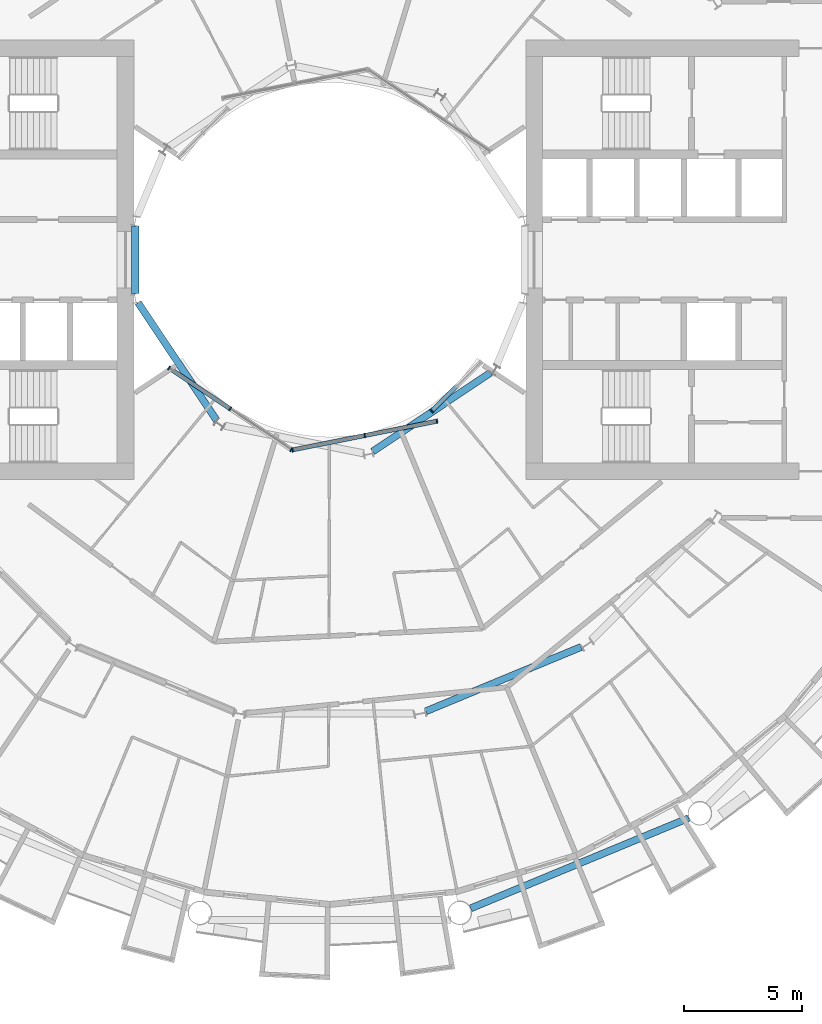
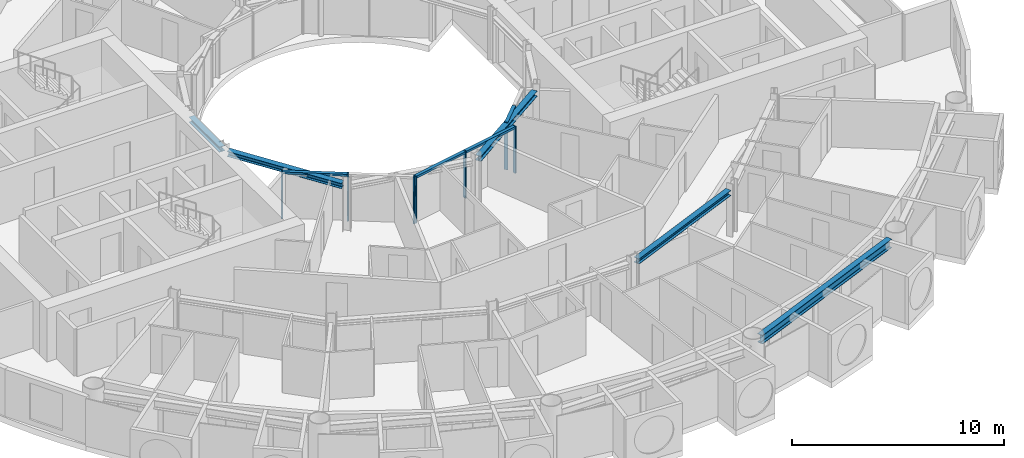
# One storey, part 5 of 26: 11 members, 5 beams, 3 elements without a shape of their own.
"""IFC4 building model written with IfcOpenShell, lengths in metres."""

from ifc_helpers import new_model, si_unit, direction, frame, origin, origin_2d, place, context, subcontext, project, spatial, rectangle, i_section, extrude, material, layer, layer_set, material_profile, profile_set, type_object, element, aggregate, save


model = new_model("IFC4")

# Units and contexts
model_context = context("Model", 3, precision=1e-05, world=origin(), true_north=direction((0.0, 1.0)))
body_context = subcontext(model_context, "Body", "Model", "MODEL_VIEW")
ifc_project = project(units=[si_unit("LENGTHUNIT", "METRE"), si_unit("AREAUNIT", "SQUARE_METRE"), si_unit("VOLUMEUNIT", "CUBIC_METRE"), si_unit("PLANEANGLEUNIT", "RADIAN"), si_unit("MASSUNIT", "GRAM", prefix="KILO")], contexts=[model_context])

# Site, building, storey
site_placement = place(None, origin())
site = spatial("IfcSite", under=ifc_project, at=site_placement, CompositionType="ELEMENT")
building_placement = place(site_placement, origin())
building = spatial("IfcBuilding", under=site, at=building_placement, Name="Maasbend Ring Residences", CompositionType="ELEMENT")
storey_placement = place(building_placement, frame((0.0, 0.0, 66.64990234375)))
storey = spatial("IfcBuildingStorey", under=building, at=storey_placement, Name="L18", CompositionType="ELEMENT", Elevation=66.64990234375)

# Curtain wall, members
ifc_material_1 = material(Name="Aluminium and clear glass", Category="aluminium")
ifc_layer = layer(ifc_material_1, 0.179931640625)
ifc_layer_set = layer_set([ifc_layer], Name="CW-W")
curtain_wall_type = type_object("IfcCurtainWallType", Name="CW-W", PredefinedType="NOTDEFINED", material=ifc_layer_set)
curtain_wall_1_placement = place(storey_placement, origin())
curtain_wall_1 = element("IfcCurtainWall", 1, at=curtain_wall_1_placement, inside=storey, type_object=curtain_wall_type, Name="Well curtain wall S1", PredefinedType="NOTDEFINED")
ifc_material_2 = material(Name="Aluminium 6063-T6", Category="aluminium")
ifc_material_profile_1 = material_profile(ifc_material_2, rectangle(XDim=0.179931640625, YDim=0.06005859375, at=origin_2d()), Name="AL 180x60")
ifc_profile_set_1 = profile_set([ifc_material_profile_1], Name="Aluminium 6063-T6")
member_type_1 = type_object("IfcMemberType", Name="CWM-W", PredefinedType="MULLION", material=ifc_profile_set_1)
member_1_placement = place(storey_placement, frame((-6.805908203125, -4.580810546875, 0.0), z_axis=(0.0, 0.0, 1.0), x_axis=(0.55557023302, 0.831469612303, 0.0)))
member_1 = element("IfcMember", 2, at=member_1_placement, type_object=member_type_1, Name="Mullion well face", PredefinedType="MULLION", context=body_context, shape_type="SweptSolid", body=[
    extrude(rectangle(XDim=0.179931640625, YDim=0.06005859375, at=origin_2d()), origin(), (0.0, 0.0, 1.0), 2.7001953125),
])
member_2_placement = place(storey_placement, frame((-4.216796875, -6.310791015625, 0.0), z_axis=(0.0, 0.0, 1.0), x_axis=(0.55557023302, 0.831469612303, 0.0)))
member_2 = element("IfcMember", 3, at=member_2_placement, type_object=member_type_1, Name="Mullion well face", PredefinedType="MULLION", context=body_context, shape_type="SweptSolid", body=[
    extrude(rectangle(XDim=0.179931640625, YDim=0.06005859375, at=origin_2d()), origin(), (0.0, 0.0, 1.0), 2.7001953125),
])
member_3_placement = place(storey_placement, frame((-1.627685546875, -8.040771484375, 0.0), z_axis=(0.0, 0.0, 1.0), x_axis=(0.55557023302, 0.831469612303, 0.0)))
member_3 = element("IfcMember", 4, at=member_3_placement, type_object=member_type_1, Name="Mullion well face", PredefinedType="MULLION", context=body_context, shape_type="SweptSolid", body=[
    extrude(rectangle(XDim=0.179931640625, YDim=0.06005859375, at=origin_2d()), origin(), (0.0, 0.0, 1.0), 2.7001953125),
])

curtain_wall_2_placement = place(storey_placement, origin())
curtain_wall_2 = element("IfcCurtainWall", 5, at=curtain_wall_2_placement, inside=storey, type_object=curtain_wall_type, Name="Well curtain wall S2", PredefinedType="NOTDEFINED")
member_4_placement = place(storey_placement, frame((-1.5732421875, -8.0517578125, 0.0), z_axis=(0.0, 0.0, 1.0), x_axis=(-0.195090322016, 0.980785280403, 0.0)))
member_4 = element("IfcMember", 6, at=member_4_placement, type_object=member_type_1, Name="Mullion well face", PredefinedType="MULLION", context=body_context, shape_type="SweptSolid", body=[
    extrude(rectangle(XDim=0.179931640625, YDim=0.06005859375, at=origin_2d()), origin(), (0.0, 0.0, 1.0), 2.7001953125),
])
member_5_placement = place(storey_placement, frame((1.480712890625, -7.444091796875, 0.0), z_axis=(0.0, 0.0, 1.0), x_axis=(-0.195090322016, 0.980785280403, 0.0)))
member_5 = element("IfcMember", 7, at=member_5_placement, type_object=member_type_1, Name="Mullion well face", PredefinedType="MULLION", context=body_context, shape_type="SweptSolid", body=[
    extrude(rectangle(XDim=0.179931640625, YDim=0.06005859375, at=origin_2d()), origin(), (0.0, 0.0, 1.0), 2.7001953125),
])
member_6_placement = place(storey_placement, frame((4.53466796875, -6.836669921875, 0.0), z_axis=(0.0, 0.0, 1.0), x_axis=(-0.195090322016, 0.980785280403, 0.0)))
member_6 = element("IfcMember", 8, at=member_6_placement, type_object=member_type_1, Name="Mullion well face", PredefinedType="MULLION", context=body_context, shape_type="SweptSolid", body=[
    extrude(rectangle(XDim=0.179931640625, YDim=0.06005859375, at=origin_2d()), origin(), (0.0, 0.0, 1.0), 2.7001953125),
])

# Curtain wall, member
curtain_wall_3_placement = place(storey_placement, origin())
curtain_wall_3 = element("IfcCurtainWall", 9, at=curtain_wall_3_placement, inside=storey, type_object=curtain_wall_type, Name="Well curtain wall S3", PredefinedType="NOTDEFINED")
member_7_placement = place(storey_placement, frame((4.320556640625, -6.413330078125, 0.0), z_axis=(0.0, 0.0, 1.0), x_axis=(-0.707106781187, 0.707106781187, 0.0)))
member_7 = element("IfcMember", 10, at=member_7_placement, type_object=member_type_1, Name="Mullion well face", PredefinedType="MULLION", context=body_context, shape_type="SweptSolid", body=[
    extrude(rectangle(XDim=0.179931640625, YDim=0.06005859375, at=origin_2d()), origin(), (0.0, 0.0, 1.0), 2.7001953125),
])

# Member
ifc_material_3 = material(Name="Aluminium 6063-T6", Category="aluminium")
ifc_material_profile_2 = material_profile(ifc_material_3, rectangle(XDim=0.179931640625, YDim=0.1201171875, at=origin_2d()), Name="AL 180x120")
ifc_profile_set_2 = profile_set([ifc_material_profile_2], Name="Aluminium 6063-T6")
member_type_2 = type_object("IfcMemberType", Name="CWT-W", PredefinedType="USERDEFINED", material=ifc_profile_set_2)
member_8_placement = place(storey_placement, frame((-6.781005859375, -4.59765625, 2.64013671875), z_axis=(0.831496422459, -0.555530106689, 0.0), x_axis=(0.555530106689, 0.831496422459, 0.0)))
member_8 = element("IfcMember", 11, at=member_8_placement, type_object=member_type_2, Name="Transom well face", ObjectType="TRANSOM", PredefinedType="USERDEFINED", context=body_context, shape_type="SweptSolid", body=[
    extrude(rectangle(XDim=0.179931640625, YDim=0.1201171875, at=origin_2d()), origin(), (0.0, 0.0, 1.0), 3.053955078125),
])

aggregate(curtain_wall_1, [member_1, member_2, member_3, member_8])

member_9_placement = place(storey_placement, frame((-1.5439453125, -8.0458984375, 2.64013671875), z_axis=(0.980776956105, 0.195132166424, 0.0), x_axis=(-0.195132166424, 0.980776956105, 0.0)))
member_9 = element("IfcMember", 12, at=member_9_placement, type_object=member_type_2, Name="Transom well face", ObjectType="TRANSOM", PredefinedType="USERDEFINED", context=body_context, shape_type="SweptSolid", body=[
    extrude(rectangle(XDim=0.179931640625, YDim=0.1201171875, at=origin_2d()), origin(), (0.0, 0.0, 1.0), 3.053955078125),
])

member_10_placement = place(storey_placement, frame((1.51025390625, -7.438232421875, 2.64013671875), z_axis=(0.980789210404, 0.19507056353, 0.0), x_axis=(-0.19507056353, 0.980789210404, 0.0)))
member_10 = element("IfcMember", 13, at=member_10_placement, type_object=member_type_2, Name="Transom well face", ObjectType="TRANSOM", PredefinedType="USERDEFINED", context=body_context, shape_type="SweptSolid", body=[
    extrude(rectangle(XDim=0.179931640625, YDim=0.1201171875, at=origin_2d()), origin(), (0.0, 0.0, 1.0), 3.0537109375),
])

aggregate(curtain_wall_2, [member_4, member_5, member_6, member_9, member_10])

member_11_placement = place(storey_placement, frame((4.341796875, -6.39208984375, 2.64013671875), z_axis=(0.707106781187, 0.707106781187, 0.0), x_axis=(-0.707106781187, 0.707106781187, 0.0)))
member_11 = element("IfcMember", 14, at=member_11_placement, type_object=member_type_2, Name="Transom well face", ObjectType="TRANSOM", PredefinedType="USERDEFINED", context=body_context, shape_type="SweptSolid", body=[
    extrude(rectangle(XDim=0.179931640625, YDim=0.1201171875, at=origin_2d()), origin(), (0.0, 0.0, 1.0), 1.419677734375),
])

aggregate(curtain_wall_3, [member_7, member_11])

# Beams
ifc_material_4 = material(Name="Steel S355J2", Category="steel")
ifc_material_profile_3 = material_profile(ifc_material_4, i_section(OverallWidth=0.300048828125, OverallDepth=0.300048828125, WebThickness=0.010986328125, FlangeThickness=0.01904296875, FilletRadius=0.027099609375, at=origin_2d()), Name="HEB 300")
ifc_profile_set_3 = profile_set([ifc_material_profile_3], Name="Steel S355J2")
beam_type_1 = type_object("IfcBeamType", Name="Corridor ring beam HEB 300", PredefinedType="BEAM", material=ifc_profile_set_3)
beam_1_placement = place(storey_placement, frame((4.070556640625, -19.12109375, 2.550048828125), z_axis=(0.923877113721, 0.382689271788, 0.0), x_axis=(-0.382689271788, 0.923877113721, 0.0)))
element("IfcBeam", 15, at=beam_1_placement, inside=storey, type_object=beam_type_1, Name="Corridor ring beam", PredefinedType="BEAM", context=body_context, shape_type="SweptSolid", body=[
    extrude(i_section(OverallWidth=0.300048828125, OverallDepth=0.300048828125, WebThickness=0.010986328125, FlangeThickness=0.01904296875, FilletRadius=0.027099609375, at=origin_2d()), origin(), (0.0, 0.0, 1.0), 7.11328125),
])
ifc_material_5 = material(Name="Steel S355J2", Category="steel")
ifc_material_profile_4 = material_profile(ifc_material_5, i_section(OverallWidth=0.300048828125, OverallDepth=0.5, WebThickness=0.014404296875, FlangeThickness=0.028076171875, FilletRadius=0.027099609375, at=origin_2d()), Name="HEB 500")
ifc_profile_set_4 = profile_set([ifc_material_profile_4], Name="Steel S355J2")
beam_type_2 = type_object("IfcBeamType", Name="Spandrel ring beam HEB 500", PredefinedType="SPANDREL", material=ifc_profile_set_4)
beam_2_placement = place(storey_placement, frame((5.970703125, -27.463623046875, 2.4501953125), z_axis=(0.923886337442, 0.382667003395, 0.0), x_axis=(-0.382667003395, 0.923886337442, 0.0)))
element("IfcBeam", 16, at=beam_2_placement, inside=storey, type_object=beam_type_2, Name="Spandrel ring beam", PredefinedType="SPANDREL", context=body_context, shape_type="SweptSolid", body=[
    extrude(i_section(OverallWidth=0.300048828125, OverallDepth=0.5, WebThickness=0.014404296875, FlangeThickness=0.028076171875, FilletRadius=0.027099609375, at=origin_2d()), origin(), (0.0, 0.0, 1.0), 9.9873046875),
])
ifc_material_6 = material(Name="Steel S355J2", Category="steel")
ifc_material_profile_5 = material_profile(ifc_material_6, i_section(OverallWidth=0.300048828125, OverallDepth=0.300048828125, WebThickness=0.010986328125, FlangeThickness=0.01904296875, FilletRadius=0.027099609375, at=origin_2d()), Name="HEB 300")
ifc_profile_set_5 = profile_set([ifc_material_profile_5], Name="Steel S355J2")
beam_type_3 = type_object("IfcBeamType", Name="Well edge beam HEB 300", PredefinedType="BEAM", material=ifc_profile_set_5)
beam_3_placement = place(storey_placement, frame((-8.238525390625, 1.434814453125, 2.550048828125), z_axis=(0.0, -1.0, 0.0), x_axis=(1.0, 0.0, 0.0)))
element("IfcBeam", 17, at=beam_3_placement, inside=storey, type_object=beam_type_3, Name="Well edge beam", PredefinedType="BEAM", context=body_context, shape_type="SweptSolid", body=[
    extrude(i_section(OverallWidth=0.300048828125, OverallDepth=0.300048828125, WebThickness=0.010986328125, FlangeThickness=0.01904296875, FilletRadius=0.027099609375, at=origin_2d()), origin(), (0.0, 0.0, 1.0), 2.86962890625),
])
for number, where, z_axis, x_axis, name in (
    (18, (-8.118408203125, -1.81884765625, 2.550048828125), (0.555592533493, -0.83145471117, 0.0), (0.83145471117, 0.555592533493, 0.0), "Well edge beam"),
    (19, (1.81884765625, -8.118408203125, 2.550048828125), (0.83145471117, 0.555592533493, 0.0), (-0.555592533493, 0.83145471117, 0.0), "Well edge beam"),
):
    element("IfcBeam", number, at=place(storey_placement, frame(where, z_axis=z_axis, x_axis=x_axis)), inside=storey, type_object=beam_type_3, Name=name, PredefinedType="BEAM", context=body_context, shape_type="SweptSolid", body=[
        extrude(i_section(OverallWidth=0.300048828125, OverallDepth=0.300048828125, WebThickness=0.010986328125, FlangeThickness=0.01904296875, FilletRadius=0.027099609375, at=origin_2d()), origin(), (0.0, 0.0, 1.0), 5.995849609375),
    ])

save(model, "model.ifc")
